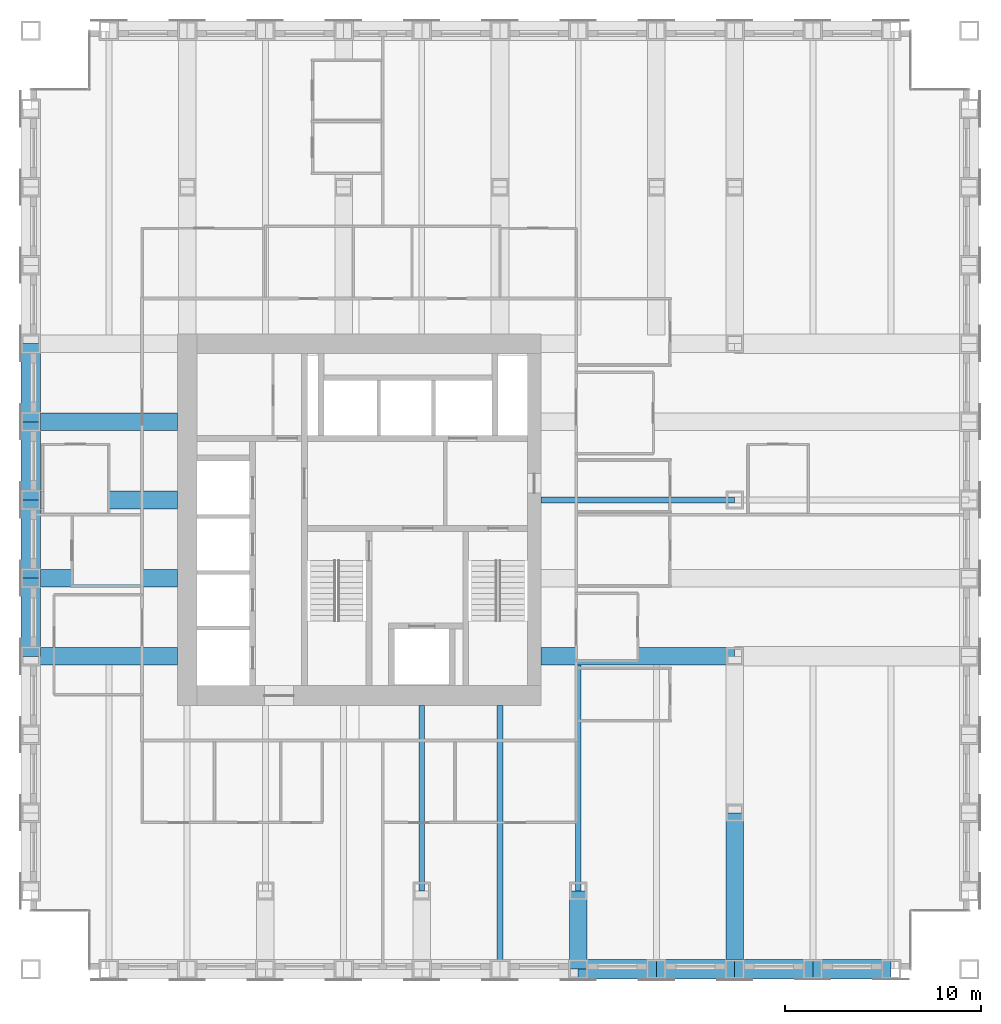
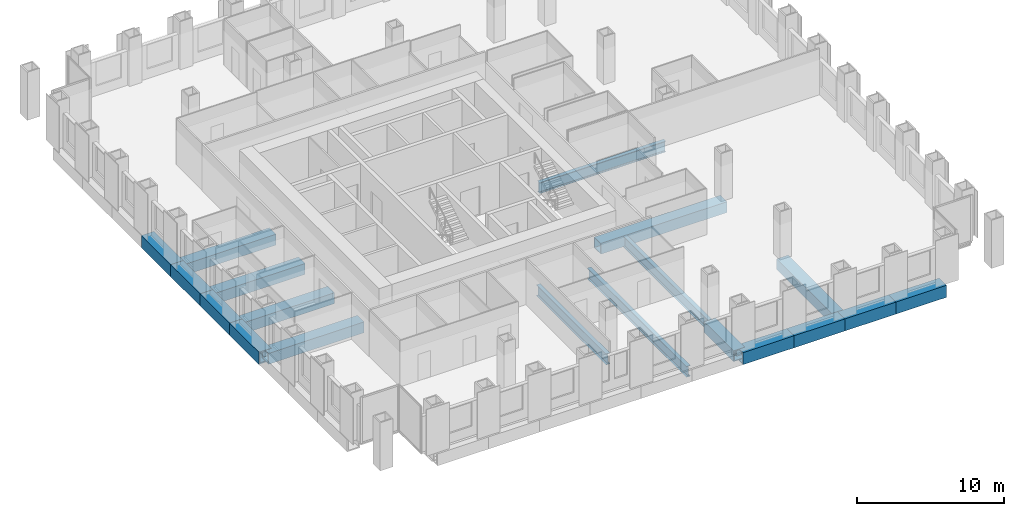
# One storey, part 3 of 16: 19 beams.
"""IFC4 building model written with IfcOpenShell, lengths in metres."""

from ifc_helpers import new_model, si_unit, direction, frame, origin, origin_2d, place, context, subcontext, project, spatial, hollow_rectangle, i_section, extrude, material, material_profile, profile_set, type_object, element, save


model = new_model("IFC4")

# Units and contexts
model_context = context("Model", 3, precision=1e-05, world=origin(), true_north=direction((0.0, 1.0)))
body_context = subcontext(model_context, "Body", "Model", "MODEL_VIEW")
ifc_project = project(units=[si_unit("LENGTHUNIT", "METRE"), si_unit("AREAUNIT", "SQUARE_METRE"), si_unit("VOLUMEUNIT", "CUBIC_METRE"), si_unit("PLANEANGLEUNIT", "RADIAN"), si_unit("MASSUNIT", "GRAM", prefix="KILO")], contexts=[model_context])

# Site, building, storey
site_placement = place(None, origin())
site = spatial("IfcSite", under=ifc_project, at=site_placement, CompositionType="ELEMENT")
building_placement = place(site_placement, origin())
building = spatial("IfcBuilding", under=site, at=building_placement, Name="Rimbunsela Tower", CompositionType="ELEMENT")
storey_placement = place(building_placement, frame((0.0, 0.0, 125.39990234375)))
storey = spatial("IfcBuildingStorey", under=building, at=storey_placement, Name="L30", CompositionType="ELEMENT", Elevation=125.39990234375)

# Beams
ifc_material_1 = material(Name="Steel BJ 55 (fy 410 MPa)", Category="steel")
ifc_material_profile_1 = material_profile(ifc_material_1, hollow_rectangle(XDim=1.0, YDim=1.0, WallThickness=0.10009765625, at=origin_2d()), Name="BOX 1000x1000x100")
ifc_profile_set_1 = profile_set([ifc_material_profile_1], Name="Steel BJ 55 (fy 410 MPa)")
beam_type_1 = type_object("IfcBeamType", Name="Beam BOX 1000x1000x100", PredefinedType="BEAM", material=ifc_profile_set_1)
for number, where, z_axis, x_axis, name in (
    (1, (10.0, 20.0, -0.64990234375), (0.0, 1.0, 0.0), (-1.0, 0.0, 0.0), "Beam B3 L30"),
    (2, (10.0, 24.0, -0.64990234375), (0.0, 1.0, 0.0), (-1.0, 0.0, 0.0), "Beam B3 L30"),
    (3, (10.0, 28.0, -0.64990234375), (0.0, 1.0, 0.0), (-1.0, 0.0, 0.0), "Beam B3 L30"),
    (4, (10.0, 32.0, -0.64990234375), (0.0, 1.0, 0.0), (-1.0, 0.0, 0.0), "Beam B3 L30"),
    (5, (38.0, 4.0, -0.64990234375), (1.0, 0.0, 0.0), (0.0, 1.0, 0.0), "Beam B3 L30"),
    (6, (42.0, 4.0, -0.64990234375), (1.0, 0.0, 0.0), (0.0, 1.0, 0.0), "Beam B3 L30"),
    (7, (46.0, 4.0, -0.64990234375), (1.0, 0.0, 0.0), (0.0, 1.0, 0.0), "Beam B3 L30"),
    (8, (50.0, 4.0, -0.64990234375), (1.0, 0.0, 0.0), (0.0, 1.0, 0.0), "Beam B3 L30"),
):
    element("IfcBeam", number, at=place(storey_placement, frame(where, z_axis=z_axis, x_axis=x_axis)), inside=storey, type_object=beam_type_1, Name=name, PredefinedType="BEAM", context=body_context, shape_type="SweptSolid", body=[
        extrude(hollow_rectangle(XDim=1.0, YDim=1.0, WallThickness=0.10009765625, at=origin_2d()), origin(), (0.0, 0.0, 1.0), 4.0),
    ])
ifc_material_2 = material(Name="Steel BJ 55 (fy 410 MPa)", Category="steel")
ifc_material_profile_2 = material_profile(ifc_material_2, hollow_rectangle(XDim=0.89990234375, YDim=0.89990234375, WallThickness=0.06005859375, at=origin_2d()), Name="BOX 900x900x60")
ifc_profile_set_2 = profile_set([ifc_material_profile_2], Name="Steel BJ 55 (fy 410 MPa)")
beam_type_2 = type_object("IfcBeamType", Name="Beam BOX 900x900x60", PredefinedType="BEAM", material=ifc_profile_set_2)
for number, where, z_axis, x_axis, name in (
    (9, (10.0, 20.0, -0.599853515625), (1.0, 0.0, 0.0), (0.0, 1.0, 0.0), "Beam B1 L30"),
    (10, (10.0, 24.0, -0.599853515625), (1.0, 0.0, 0.0), (0.0, 1.0, 0.0), "Beam B1 L30"),
    (11, (10.0, 28.0, -0.599853515625), (1.0, 0.0, 0.0), (0.0, 1.0, 0.0), "Beam B1 L30"),
    (12, (10.0, 32.0, -0.599853515625), (1.0, 0.0, 0.0), (0.0, 1.0, 0.0), "Beam B1 L30"),
):
    element("IfcBeam", number, at=place(storey_placement, frame(where, z_axis=z_axis, x_axis=x_axis)), inside=storey, type_object=beam_type_2, Name=name, PredefinedType="BEAM", context=body_context, shape_type="SweptSolid", body=[
        extrude(hollow_rectangle(XDim=0.89990234375, YDim=0.89990234375, WallThickness=0.06005859375, at=origin_2d()), origin(), (0.0, 0.0, 1.0), 7.5),
    ])
beam_1_placement = place(storey_placement, frame((36.10009765625, 20.0, -0.599853515625), z_axis=(1.0, 0.0, 0.0), x_axis=(0.0, 1.0, 0.0)))
element("IfcBeam", 13, at=beam_1_placement, inside=storey, type_object=beam_type_2, Name="Beam B1 L30", PredefinedType="BEAM", context=body_context, shape_type="SweptSolid", body=[
    extrude(hollow_rectangle(XDim=0.89990234375, YDim=0.89990234375, WallThickness=0.06005859375, at=origin_2d()), origin(), (0.0, 0.0, 1.0), 9.89990234375),
])
beam_2_placement = place(storey_placement, frame((38.0, 4.0, -0.599853515625), z_axis=(0.0, 1.0, 0.0), x_axis=(-1.0, 0.0, 0.0)))
element("IfcBeam", 14, at=beam_2_placement, inside=storey, type_object=beam_type_2, Name="Beam B1 L30", PredefinedType="BEAM", context=body_context, shape_type="SweptSolid", body=[
    extrude(hollow_rectangle(XDim=0.89990234375, YDim=0.89990234375, WallThickness=0.06005859375, at=origin_2d()), origin(), (0.0, 0.0, 1.0), 4.0),
])
beam_3_placement = place(storey_placement, frame((46.0, 4.0, -0.599853515625), z_axis=(0.0, 1.0, 0.0), x_axis=(-1.0, 0.0, 0.0)))
element("IfcBeam", 15, at=beam_3_placement, inside=storey, type_object=beam_type_2, Name="Beam B1 L30", PredefinedType="BEAM", context=body_context, shape_type="SweptSolid", body=[
    extrude(hollow_rectangle(XDim=0.89990234375, YDim=0.89990234375, WallThickness=0.06005859375, at=origin_2d()), origin(), (0.0, 0.0, 1.0), 8.0),
])
ifc_material_3 = material(Name="Steel BJ 55 (fy 410 MPa)", Category="steel")
ifc_material_profile_3 = material_profile(ifc_material_3, i_section(OverallWidth=0.300048828125, OverallDepth=0.89990234375, WebThickness=0.01611328125, FlangeThickness=0.028076171875, FilletRadius=0.028076171875, at=origin_2d()), Name="H 900x300x16x28")
ifc_profile_set_3 = profile_set([ifc_material_profile_3], Name="Steel BJ 55 (fy 410 MPa)")
beam_type_3 = type_object("IfcBeamType", Name="Beam H 900x300x16x28", PredefinedType="BEAM", material=ifc_profile_set_3)
beam_4_placement = place(storey_placement, frame((30.0, 8.0, -0.599853515625), z_axis=(0.0, 1.0, 0.0), x_axis=(-1.0, 0.0, 0.0)))
element("IfcBeam", 16, at=beam_4_placement, inside=storey, type_object=beam_type_3, Name="Beam B2 L30", PredefinedType="BEAM", context=body_context, shape_type="SweptSolid", body=[
    extrude(i_section(OverallWidth=0.300048828125, OverallDepth=0.89990234375, WebThickness=0.01611328125, FlangeThickness=0.028076171875, FilletRadius=0.028076171875, at=origin_2d()), origin(), (0.0, 0.0, 1.0), 9.5),
])
beam_5_placement = place(storey_placement, frame((34.0, 4.0, -0.599853515625), z_axis=(0.0, 1.0, 0.0), x_axis=(-1.0, 0.0, 0.0)))
element("IfcBeam", 17, at=beam_5_placement, inside=storey, type_object=beam_type_3, Name="Beam B2 L30", PredefinedType="BEAM", context=body_context, shape_type="SweptSolid", body=[
    extrude(i_section(OverallWidth=0.300048828125, OverallDepth=0.89990234375, WebThickness=0.01611328125, FlangeThickness=0.028076171875, FilletRadius=0.028076171875, at=origin_2d()), origin(), (0.0, 0.0, 1.0), 13.5),
])
beam_6_placement = place(storey_placement, frame((36.10009765625, 28.0, -0.599853515625), z_axis=(1.0, 0.0, 0.0), x_axis=(0.0, 1.0, 0.0)))
element("IfcBeam", 18, at=beam_6_placement, inside=storey, type_object=beam_type_3, Name="Beam B2 L30", PredefinedType="BEAM", context=body_context, shape_type="SweptSolid", body=[
    extrude(i_section(OverallWidth=0.300048828125, OverallDepth=0.89990234375, WebThickness=0.01611328125, FlangeThickness=0.028076171875, FilletRadius=0.028076171875, at=origin_2d()), origin(), (0.0, 0.0, 1.0), 9.89990234375),
])
beam_7_placement = place(storey_placement, frame((38.0, 8.0, -0.599853515625), z_axis=(0.0, 1.0, 0.0), x_axis=(-1.0, 0.0, 0.0)))
element("IfcBeam", 19, at=beam_7_placement, inside=storey, type_object=beam_type_3, Name="Beam B2 L30", PredefinedType="BEAM", context=body_context, shape_type="SweptSolid", body=[
    extrude(i_section(OverallWidth=0.300048828125, OverallDepth=0.89990234375, WebThickness=0.01611328125, FlangeThickness=0.028076171875, FilletRadius=0.028076171875, at=origin_2d()), origin(), (0.0, 0.0, 1.0), 11.550048828125),
])

save(model, "model.ifc")
